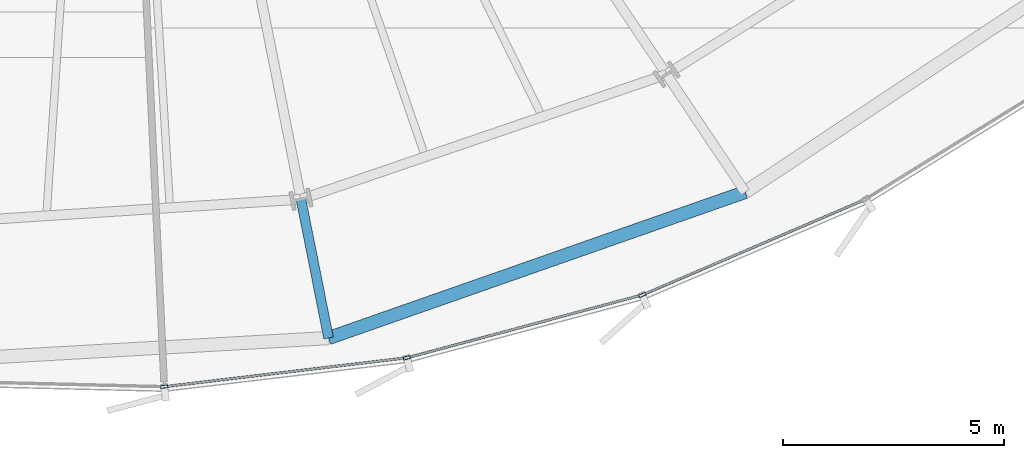
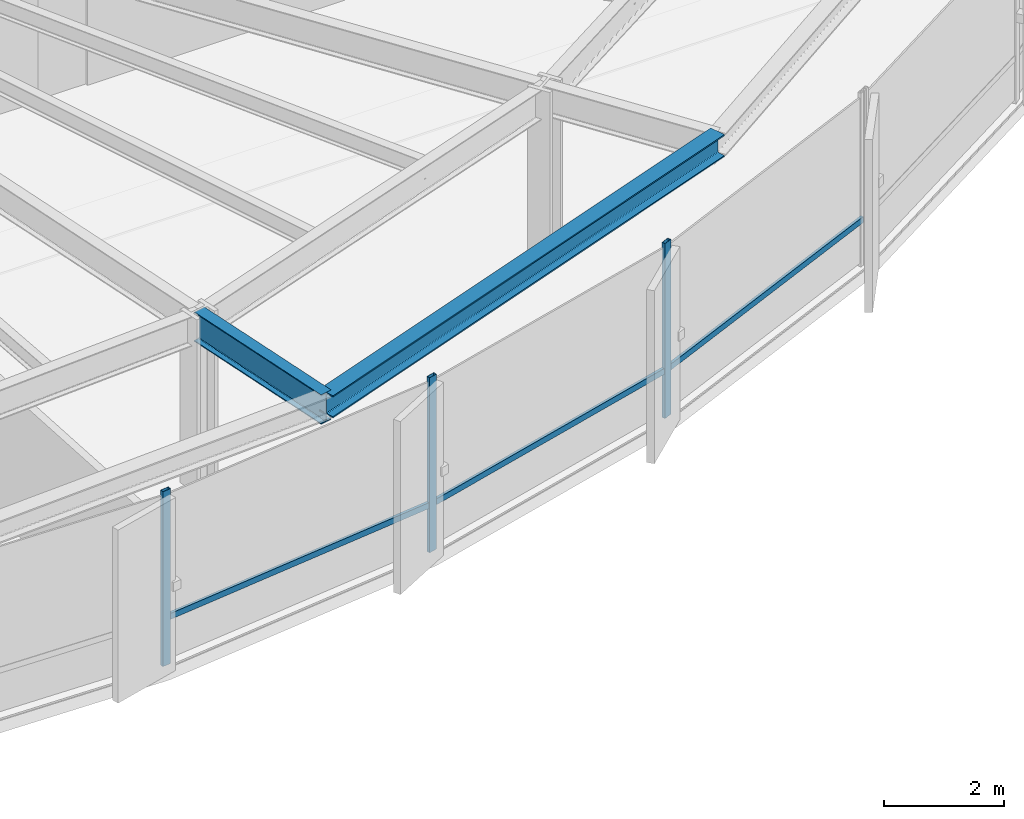
# One storey, part 11 of 39: 6 members, 2 beams, 1 element without a shape of its own.
"""IFC4 building model written with IfcOpenShell, lengths in metres."""

from ifc_helpers import new_model, si_unit, direction, frame, origin, origin_2d, place, context, subcontext, project, spatial, hollow_rectangle, i_section, extrude, source, transform, mapped, material, layer, layer_set, material_profile, profile_set, type_object, element, aggregate, save


model = new_model("IFC4")

# Units and contexts
model_context = context("Model", 3, precision=1e-05, world=origin(), true_north=direction((0.0, 1.0)))
body_context = subcontext(model_context, "Body", "Model", "MODEL_VIEW")
ifc_project = project(units=[si_unit("LENGTHUNIT", "METRE"), si_unit("AREAUNIT", "SQUARE_METRE"), si_unit("VOLUMEUNIT", "CUBIC_METRE"), si_unit("PLANEANGLEUNIT", "RADIAN"), si_unit("MASSUNIT", "GRAM", prefix="KILO"), si_unit("THERMODYNAMICTEMPERATUREUNIT", "KELVIN")], contexts=[model_context])

# Site, building, storey
site_placement = place(None, origin())
site = spatial("IfcSite", under=ifc_project, at=site_placement, CompositionType="ELEMENT")
building_placement = place(site_placement, origin())
building = spatial("IfcBuilding", under=site, at=building_placement, Name="Kethvar Cultural Tower", CompositionType="ELEMENT")
storey_placement = place(building_placement, frame((0.0, 0.0, 41.0)))
storey = spatial("IfcBuildingStorey", under=building, at=storey_placement, Name="L09", CompositionType="ELEMENT", Elevation=41.0)

# Beams
ifc_material_1 = material(Name="Steel S355J2", Category="steel")
ifc_material_profile_1 = material_profile(ifc_material_1, i_section(OverallWidth=0.219970703125, OverallDepth=0.60009765625, WebThickness=0.011962890625, FlangeThickness=0.01904296875, FilletRadius=0.02392578125, at=origin_2d()), Name="Steel S355J2 — IPE600")
ifc_profile_set_1 = profile_set([ifc_material_profile_1], Name="Steel S355J2 — IPE600")
beam_type_1 = type_object("IfcBeamType", Name="BM-IPE600", PredefinedType="BEAM", material=ifc_profile_set_1)
shared_shape_1 = source(origin(), body_context, "Body", "SweptSolid", [
    extrude(i_section(OverallWidth=0.219970703125, OverallDepth=0.60009765625, WebThickness=0.011962890625, FlangeThickness=0.01904296875, FilletRadius=0.02392578125, at=origin_2d()), origin(), (0.0, 0.0, 1.0), 3.199951171875),
])
beam_1_placement = place(storey_placement, frame((51.10400390625, 6.16259765625, 3.248046875), z_axis=(0.195088965533, -0.980785550224, 0.0), x_axis=(0.980785550224, 0.195088965533, 0.0)))
element("IfcBeam", 1, at=beam_1_placement, inside=storey, type_object=beam_type_1, Name="L09 Perimeter Cantilever Beam RC-13", PredefinedType="BEAM", context=body_context, shape_type="MappedRepresentation", body=[
    mapped(shared_shape_1, transform((0.0, 0.0, 0.0), scale=1.0)),
])
ifc_material_profile_2 = material_profile(ifc_material_1, i_section(OverallWidth=0.300048828125, OverallDepth=0.449951171875, WebThickness=0.013916015625, FlangeThickness=0.02587890625, FilletRadius=0.027099609375, at=origin_2d()), Name="Steel S355J2 — HEB450")
ifc_profile_set_2 = profile_set([ifc_material_profile_2], Name="Steel S355J2 — HEB450")
beam_type_2 = type_object("IfcBeamType", Name="BM-SP450", PredefinedType="SPANDREL", material=ifc_profile_set_2)
shared_shape_2 = source(origin(), body_context, "Body", "SweptSolid", [
    extrude(i_section(OverallWidth=0.300048828125, OverallDepth=0.449951171875, WebThickness=0.013916015625, FlangeThickness=0.02587890625, FilletRadius=0.027099609375, at=origin_2d()), origin(), (0.0, 0.0, 1.0), 9.98193359375),
])
beam_2_placement = place(storey_placement, frame((51.728271484375, 3.024169921875, 3.322998046875), z_axis=(0.943693514159, 0.330821026138, 0.0), x_axis=(-0.330821026138, 0.943693514159, 0.0)))
element("IfcBeam", 2, at=beam_2_placement, inside=storey, type_object=beam_type_2, Name="L09 Perimeter Spandrel Beam SP-13", PredefinedType="SPANDREL", context=body_context, shape_type="MappedRepresentation", body=[
    mapped(shared_shape_2, transform((0.0, 0.0, 0.0), scale=1.0)),
])

# Curtain wall, members
ifc_material_2 = material(Name="Aluminium 6063-T6", Category="aluminium")
ifc_layer = layer(ifc_material_2, 0.179931640625, Name="Aluminium 6063-T6", Category="aluminium")
ifc_layer_set = layer_set([ifc_layer], Name="Aluminium 6063-T6 (180 mm)")
curtain_wall_type = type_object("IfcCurtainWallType", Name="CW-SYS-02-Z1", PredefinedType="NOTDEFINED", material=ifc_layer_set)
curtain_wall_placement = place(storey_placement, origin())
curtain_wall = element("IfcCurtainWall", 3, at=curtain_wall_placement, inside=storey, type_object=curtain_wall_type, Name="L09 Curtain Wall Run 05", PredefinedType="NOTDEFINED")
ifc_material_profile_3 = material_profile(ifc_material_2, hollow_rectangle(XDim=0.06494140625, YDim=0.159912109375, WallThickness=0.0048828125, at=origin_2d()), Name="Aluminium 6063-T6 — RHS160x65x5")
ifc_profile_set_3 = profile_set([ifc_material_profile_3], Name="Aluminium 6063-T6 — RHS160x65x5")
member_type_1 = type_object("IfcMemberType", Name="CW-SYS-02-Z1-MUL", PredefinedType="MULLION", material=ifc_profile_set_3)
shared_shape_3 = source(origin(), body_context, "Body", "SweptSolid", [
    extrude(hollow_rectangle(XDim=0.06494140625, YDim=0.159912109375, WallThickness=0.0048828125, at=origin_2d()), origin(), (0.0, 0.0, 1.0), 3.550048828125),
])
member_1_placement = place(storey_placement, frame((48.01171875, 1.92431640625, 0.0), z_axis=(0.0, 0.0, 1.0), x_axis=(-0.118265323013, 0.99298203074, 0.0)))
member_1 = element("IfcMember", 4, at=member_1_placement, type_object=member_type_1, Name="CW-L09-R05 Mullion 4", PredefinedType="MULLION", context=body_context, shape_type="MappedRepresentation", body=[
    mapped(shared_shape_3, transform((0.0, 0.0, 0.0), scale=1.0)),
])
member_2_placement = place(storey_placement, frame((53.495849609375, 2.576416015625, 0.0), z_axis=(0.0, 0.0, 1.0), x_axis=(-0.258110915016, 0.966115291023, 0.0)))
member_2 = element("IfcMember", 5, at=member_2_placement, type_object=member_type_1, Name="CW-L09-R05 Mullion 5", PredefinedType="MULLION", context=body_context, shape_type="MappedRepresentation", body=[
    mapped(shared_shape_3, transform((0.0, 0.0, 0.0), scale=1.0)),
])
member_3_placement = place(storey_placement, frame((58.82177734375, 3.998046875, 0.0), z_axis=(0.0, 0.0, 1.0), x_axis=(-0.393877740879, 0.919162839349, 0.0)))
member_3 = element("IfcMember", 6, at=member_3_placement, type_object=member_type_1, Name="CW-L09-R05 Mullion 6", PredefinedType="MULLION", context=body_context, shape_type="MappedRepresentation", body=[
    mapped(shared_shape_3, transform((0.0, 0.0, 0.0), scale=1.0)),
])
ifc_material_profile_4 = material_profile(ifc_material_2, hollow_rectangle(XDim=0.054931640625, YDim=0.1201171875, WallThickness=0.00390625, at=origin_2d()), Name="Aluminium 6063-T6 — RHS120x55x4")
ifc_profile_set_4 = profile_set([ifc_material_profile_4], Name="Aluminium 6063-T6 — RHS120x55x4")
member_type_2 = type_object("IfcMemberType", Name="CW-SYS-02-Z1-TRN", PredefinedType="USERDEFINED", material=ifc_profile_set_4)
shared_shape_4 = source(origin(), body_context, "Body", "SweptSolid", [
    extrude(hollow_rectangle(XDim=0.054931640625, YDim=0.1201171875, WallThickness=0.00390625, at=origin_2d()), origin(), (0.0, 0.0, 1.0), 5.4462890625),
])
member_4_placement = place(storey_placement, frame((48.05810546875, 1.929931640625, 0.949951171875), z_axis=(0.992983136465, 0.118256038734, 0.0), x_axis=(-0.118256038734, 0.992983136465, 0.0)))
member_4 = element("IfcMember", 7, at=member_4_placement, type_object=member_type_2, Name="CW-L09-R05 Transom 4", ObjectType="TRANSOM", PredefinedType="USERDEFINED", context=body_context, shape_type="MappedRepresentation", body=[
    mapped(shared_shape_4, transform((0.0, 0.0, 0.0), scale=1.0)),
])
shared_shape_5 = source(origin(), body_context, "Body", "SweptSolid", [
    extrude(hollow_rectangle(XDim=0.054931640625, YDim=0.1201171875, WallThickness=0.00390625, at=origin_2d()), origin(), (0.0, 0.0, 1.0), 5.436279296875),
])
member_5_placement = place(storey_placement, frame((53.541015625, 2.58837890625, 0.949951171875), z_axis=(0.966106611829, 0.258143399256, 0.0), x_axis=(-0.258143399256, 0.966106611829, 0.0)))
member_5 = element("IfcMember", 8, at=member_5_placement, type_object=member_type_2, Name="CW-L09-R05 Transom 5", ObjectType="TRANSOM", PredefinedType="USERDEFINED", context=body_context, shape_type="MappedRepresentation", body=[
    mapped(shared_shape_5, transform((0.0, 0.0, 0.0), scale=1.0)),
])
shared_shape_6 = source(origin(), body_context, "Body", "SweptSolid", [
    extrude(hollow_rectangle(XDim=0.054931640625, YDim=0.1201171875, WallThickness=0.00390625, at=origin_2d()), origin(), (0.0, 0.0, 1.0), 5.381591796875),
])
member_6_placement = place(storey_placement, frame((58.864990234375, 4.016357421875, 0.949951171875), z_axis=(0.919149722932, 0.393908348266, 0.0), x_axis=(-0.393908348266, 0.919149722932, 0.0)))
member_6 = element("IfcMember", 9, at=member_6_placement, type_object=member_type_2, Name="CW-L09-R05 Transom 6", ObjectType="TRANSOM", PredefinedType="USERDEFINED", context=body_context, shape_type="MappedRepresentation", body=[
    mapped(shared_shape_6, transform((0.0, 0.0, 0.0), scale=1.0)),
])
aggregate(curtain_wall, [member_1, member_2, member_3, member_4, member_5, member_6])

save(model, "model.ifc")
